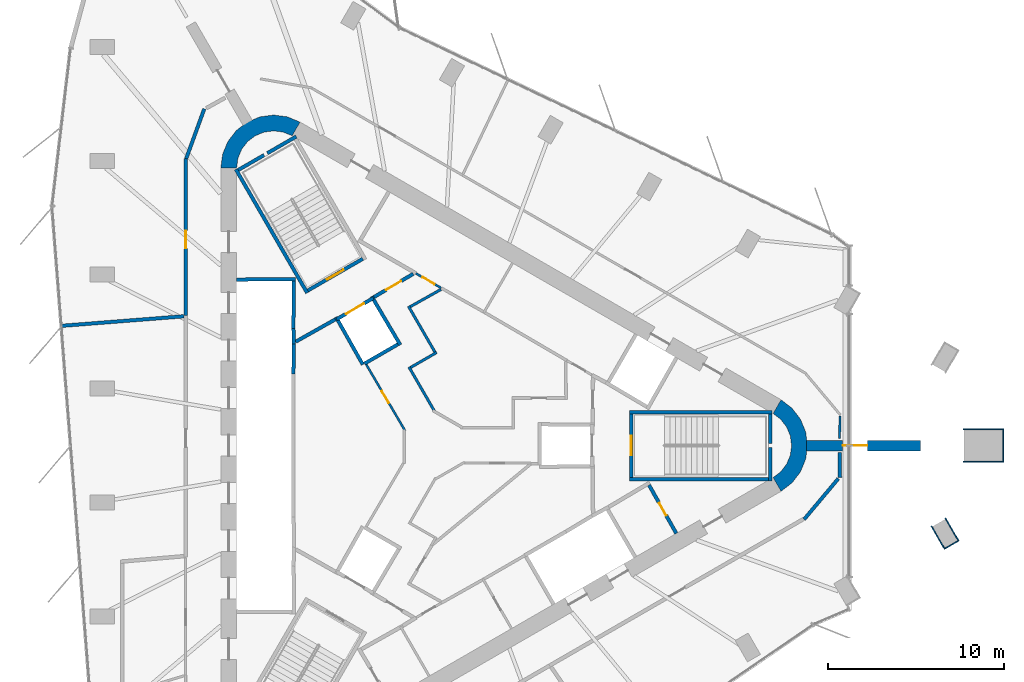
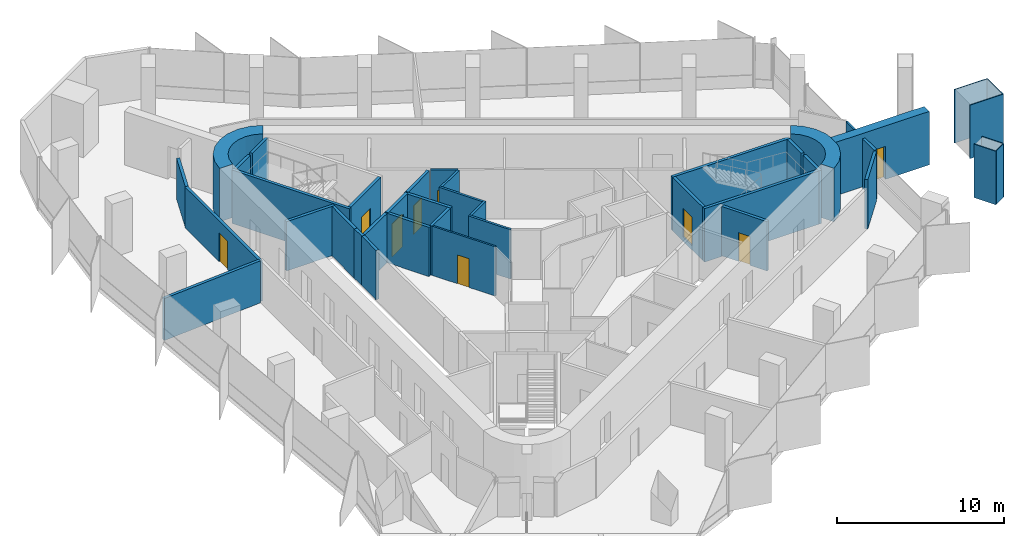
# One storey, part 9 of 12: 41 walls, 9 doors, 9 openings.
"""IFC4 building model written with IfcOpenShell, lengths in metres."""

import ifcopenshell
import ifcopenshell.guid

model = None  # the IFC model being written
_history = None  # IfcOwnerHistory: only IFC2X3 demands one
_inside = {}  # id of a spatial element -> (the spatial element, [elements in it])
_under = {}  # id of a project, library or spatial element -> (it, [spatial elements below it])
_declared = {}  # id of a project -> (the project, [libraries it declares])
_typed = {}  # id of a type object -> (the type object, [elements of that type])
_made_of = {}  # id of a material, layer set ... -> (it, [elements and type objects made of it])


def new_model(schema):
    """Start an empty IFC model of exactly this schema.

    Asked for "IFC4X3", IfcOpenShell would pick the latest addendum, in which some entities
    have other attributes; the version numbers below select the first issue.
    IFC2X3 requires an IfcOwnerHistory on every rooted entity: one is made here for all.
    """
    global model, _history
    if schema == "IFC4X3":
        model = ifcopenshell.file(schema_version=(4, 3, 0, 0))
    else:
        model = ifcopenshell.file(schema=schema)
    _inside.clear()
    _under.clear()
    _declared.clear()
    _typed.clear()
    _made_of.clear()
    _history = None
    if model.schema == "IFC2X3":
        org = make("IfcOrganization", Name="unknown")
        user = make(
            "IfcPersonAndOrganization",
            ThePerson=make("IfcPerson", FamilyName="unknown"),
            TheOrganization=org,
        )
        app = make(
            "IfcApplication",
            ApplicationDeveloper=org,
            Version="unknown",
            ApplicationFullName="unknown",
            ApplicationIdentifier="unknown",
        )
        _history = make(
            "IfcOwnerHistory",
            OwningUser=user,
            OwningApplication=app,
            ChangeAction="ADDED",
            CreationDate=0,
        )
    return model


def make(cls, **values):
    """One entity of the class cls with the attributes given. An attribute that is None is left unset."""
    return model.create_entity(
        cls, **{name: value for name, value in values.items() if value is not None}
    )


def rooted(cls, **values):
    """An entity with a GlobalId (a new one), such as an element, a storey or a relation."""
    return make(cls, GlobalId=ifcopenshell.guid.new(), OwnerHistory=_history, **values)


def si_unit(unit_type, name, prefix=None):
    """IfcSIUnit, for example si_unit("LENGTHUNIT", "METRE", prefix="MILLI")."""
    return make("IfcSIUnit", UnitType=unit_type, Prefix=prefix, Name=name)


def assignment(units):
    """IfcUnitAssignment: the units of a project."""
    return None if units is None else make("IfcUnitAssignment", Units=units)


def point(xyz):
    """IfcCartesianPoint."""
    return None if xyz is None else make("IfcCartesianPoint", Coordinates=xyz)


def direction(xyz):
    """IfcDirection."""
    return None if xyz is None else make("IfcDirection", DirectionRatios=xyz)


def frame(location, z_axis=None, x_axis=None):
    """IfcAxis2Placement3D, a coordinate frame: its origin and axes. An axis left out is left unset."""
    return make(
        "IfcAxis2Placement3D",
        Location=point(location),
        Axis=direction(z_axis),
        RefDirection=direction(x_axis),
    )


def frame_2d(location, x_axis=None):
    """IfcAxis2Placement2D, a coordinate frame in the plane: its origin and x axis."""
    return make(
        "IfcAxis2Placement2D", Location=point(location), RefDirection=direction(x_axis)
    )


def origin():
    """The frame at (0, 0, 0) with its axes left unset."""
    return frame((0.0, 0.0, 0.0))


def place(relative_to, where):
    """IfcLocalPlacement: puts the frame where relative to a parent placement (None: the world)."""
    return make(
        "IfcLocalPlacement", PlacementRelTo=relative_to, RelativePlacement=where
    )


def context(
    kind, dimensions, precision=None, world=None, true_north=None, identifier=None
):
    """IfcGeometricRepresentationContext, for example the 3D "Model" context."""
    return make(
        "IfcGeometricRepresentationContext",
        ContextIdentifier=identifier,
        ContextType=kind,
        CoordinateSpaceDimension=dimensions,
        Precision=precision,
        WorldCoordinateSystem=world,
        TrueNorth=true_north,
    )


def subcontext(parent, identifier, kind, view, scale=None):
    """IfcGeometricRepresentationSubContext, for example "Body" below "Model"."""
    return make(
        "IfcGeometricRepresentationSubContext",
        ContextIdentifier=identifier,
        ContextType=kind,
        ParentContext=parent,
        TargetScale=scale,
        TargetView=view,
    )


def project(units=None, contexts=None):
    """IfcProject with its units and contexts."""
    return rooted(
        "IfcProject",
        Name="project",
        RepresentationContexts=contexts,
        UnitsInContext=assignment(units),
    )


def spatial(cls, under=None, at=None, **own):
    """A site, building, storey or space (cls), placed at a placement, below another one or the project."""
    s = rooted(cls, ObjectPlacement=at, **own)
    if under is not None:
        _under.setdefault(under.id(), (under, []))[1].append(s)
    return s


def polyline(points):
    """IfcPolyline through the points."""
    return make("IfcPolyline", Points=[point(p) for p in points])


def profile(cls, at=None, kind="AREA", **sizes):
    """A parametric profile (cls). Its sizes go by their IFC names, for example OverallWidth=200.0."""
    return make(cls, ProfileType=kind, Position=at, **sizes)


def rectangle(**sizes):
    """IfcRectangleProfileDef."""
    return profile("IfcRectangleProfileDef", **sizes)


def outline(outer, holes=None, kind="AREA"):
    """IfcArbitraryClosedProfileDef: a profile drawn as a closed curve; with holes, ...WithVoids."""
    if holes is None:
        return make("IfcArbitraryClosedProfileDef", ProfileType=kind, OuterCurve=outer)
    return make(
        "IfcArbitraryProfileDefWithVoids",
        ProfileType=kind,
        OuterCurve=outer,
        InnerCurves=holes,
    )


def extrude(swept, where, along, depth):
    """IfcExtrudedAreaSolid: the profile swept, set in the frame where, extruded along a direction by depth."""
    return make(
        "IfcExtrudedAreaSolid",
        SweptArea=swept,
        Position=where,
        ExtrudedDirection=direction(along),
        Depth=depth,
    )


def shape(context_of_items, identifier, shape_type, items):
    """IfcShapeRepresentation: the items that make up one representation, for example the "Body"."""
    return make(
        "IfcShapeRepresentation",
        ContextOfItems=context_of_items,
        RepresentationIdentifier=identifier,
        RepresentationType=shape_type,
        Items=items,
    )


def material(Name=None, Category=None):
    """IfcMaterial."""
    return make("IfcMaterial", Name=Name, Category=Category)


def layer(
    of_material, thickness, ventilated=None, Name=None, Category=None, Priority=None
):
    """IfcMaterialLayer: one layer of a wall or slab, of a material (None: an air gap)."""
    return make(
        "IfcMaterialLayer",
        Material=of_material,
        LayerThickness=thickness,
        IsVentilated=ventilated,
        Name=Name,
        Category=Category,
        Priority=Priority,
    )


def layer_set(layers, Name=None):
    """IfcMaterialLayerSet."""
    return make("IfcMaterialLayerSet", MaterialLayers=layers, LayerSetName=Name)


def made_of(thing, what):
    """Note that an element or type object is made of a material, layer set ...; save() writes the relation."""
    if what is not None:
        _made_of.setdefault(what.id(), (what, []))[1].append(thing)
    return thing


def type_object(cls, material=None, **own):
    """A type object (cls), such as IfcWallType, which elements share."""
    return made_of(rooted(cls, **own), material)


def element(
    cls,
    number,
    at=None,
    inside=None,
    cuts=None,
    type_object=None,
    material=None,
    context=None,
    identifier="Body",
    shape_type=None,
    held_by="IfcProductDefinitionShape",
    body=None,
    shapes=None,
    **own,
):
    """One element of the class cls, such as IfcWall. Its Tag is "e" and its number.

    at: its placement. inside: the storey or other place that contains it. cuts: it is an
    opening in that element (IfcRelVoidsElement). A single representation is given by context,
    identifier, shape_type and body (its items); several are given by shapes. held_by: the class
    of the entity that holds the representations. save() writes the other relations.
    """
    e = rooted(cls, Tag="e%d" % number, ObjectPlacement=at, **own)
    if body is not None:
        shapes = [shape(context, identifier, shape_type, body)]
    if shapes is not None:
        e.Representation = make(held_by, Representations=shapes)
    if inside is not None:
        _inside.setdefault(inside.id(), (inside, []))[1].append(e)
    if cuts is not None:
        rooted(
            "IfcRelVoidsElement", RelatingBuildingElement=cuts, RelatedOpeningElement=e
        )
    if type_object is not None:
        _typed.setdefault(type_object.id(), (type_object, []))[1].append(e)
    return made_of(e, material)


def fill(opening, filler):
    """IfcRelFillsElement: the door or window that sits in an opening."""
    return rooted(
        "IfcRelFillsElement",
        RelatingOpeningElement=opening,
        RelatedBuildingElement=filler,
    )


def aggregate(whole, parts):
    """IfcRelAggregates: a whole, such as a stair, and the parts it consists of."""
    return rooted("IfcRelAggregates", RelatingObject=whole, RelatedObjects=parts)


def save(model, path):
    """Write the relations noted so far, then the file.

    IfcRelAggregates (storeys below a building ...), IfcRelContainedInSpatialStructure (elements
    in a storey), IfcRelDefinesByType, IfcRelAssociatesMaterial and IfcRelDeclares: one each for
    every whole, place, type object, material and project.
    """
    for whole, parts in _under.values():
        aggregate(whole, parts)
    for where, things in _inside.values():
        rooted(
            "IfcRelContainedInSpatialStructure",
            RelatedElements=things,
            RelatingStructure=where,
        )
    for kind, things in _typed.values():
        rooted("IfcRelDefinesByType", RelatedObjects=things, RelatingType=kind)
    for what, things in _made_of.values():
        rooted("IfcRelAssociatesMaterial", RelatedObjects=things, RelatingMaterial=what)
    for by, libraries in _declared.values():
        rooted("IfcRelDeclares", RelatingContext=by, RelatedDefinitions=libraries)
    model.write(path)


model = new_model("IFC4")

# Units and contexts
model_context = context("Model", 3, precision=1e-05, world=origin(), true_north=direction((0.0, 1.0)))
body_context = subcontext(model_context, "Body", "Model", "MODEL_VIEW")
ifc_project = project(units=[si_unit("LENGTHUNIT", "METRE"), si_unit("AREAUNIT", "SQUARE_METRE"), si_unit("VOLUMEUNIT", "CUBIC_METRE"), si_unit("PLANEANGLEUNIT", "RADIAN"), si_unit("MASSUNIT", "GRAM", prefix="KILO")], contexts=[model_context])

# Site, building, storey
site_placement = place(None, origin())
site = spatial("IfcSite", under=ifc_project, at=site_placement, CompositionType="ELEMENT")
building_placement = place(site_placement, origin())
building = spatial("IfcBuilding", under=site, at=building_placement, Name="Tanit Gate Tower", CompositionType="ELEMENT")
storey_placement = place(building_placement, frame((0.0, 0.0, 380.60009765625)))
storey = spatial("IfcBuildingStorey", under=building, at=storey_placement, Name="L87", CompositionType="ELEMENT", Elevation=380.60009765625)

# Wall, opening, door
ifc_material_1 = material(Name="Concrete C40/50", Category="concrete")
ifc_layer_1 = layer(ifc_material_1, 0.60009765625)
ifc_layer_set_1 = layer_set([ifc_layer_1], Name="BUTTRESS FIN 600 C40/50")
wall_type_1 = type_object("IfcWallType", Name="BUTTRESS FIN 600 C40/50", PredefinedType="SHEAR", material=ifc_layer_set_1)
wall_1_placement = place(storey_placement, frame((21.14990234375, 0.0, 0.0), z_axis=(0.0, 0.0, 1.0), x_axis=(1.0, 0.0, 0.0)))
wall_1 = element("IfcWall", 1, at=wall_1_placement, inside=storey, type_object=wall_type_1, Name="BUTTRESS FIN", PredefinedType="SHEAR", context=body_context, shape_type="SweptSolid", body=[
    extrude(rectangle(XDim=6.455078125, YDim=0.60009765625, at=frame_2d((3.2275390625, 0.0))), origin(), (0.0, 0.0, 1.0), 3.89990234375),
])
opening_1_placement = place(wall_1_placement, frame((2.050048828125, 0.0, 0.0)))
opening_1 = element("IfcOpeningElement", 2, at=opening_1_placement, cuts=wall_1, Name="Opening P14-87-F-E-1", PredefinedType="OPENING", context=body_context, shape_type="SweptSolid", body=[
    extrude(rectangle(XDim=1.39990234375, YDim=2.39990234375, at=frame_2d((0.699951171875, 1.199951171875))), frame((0.0, 0.31005859375, 0.0), z_axis=(0.0, -1.0, 0.0), x_axis=(1.0, 0.0, 0.0)), (0.0, 0.0, 1.0), 0.6201171875),
])
ifc_material_2 = material(Name="Timber door leaf", Category="wood")
door_type_1 = type_object("IfcDoorType", Name="INT-DOOR-FIN-PAIR-1400", OperationType="NOTDEFINED", PredefinedType="NOTDEFINED", material=ifc_material_2)
door_1_placement = place(opening_1_placement, origin())
door_1 = element("IfcDoor", 3, at=door_1_placement, inside=storey, type_object=door_type_1, Name="Door P14-87-F-E-1", OperationType="DOUBLE_DOOR_SINGLE_SWING", OverallHeight=2.39990234375, OverallWidth=1.39990234375, PredefinedType="NOTDEFINED", context=body_context, shape_type="SweptSolid", body=[
    extrude(rectangle(XDim=1.39990234375, YDim=2.39990234375, at=frame_2d((0.699951171875, 1.199951171875))), frame((0.0, 0.02490234375, 0.0), z_axis=(0.0, -1.0, 0.0), x_axis=(1.0, 0.0, 0.0)), (0.0, 0.0, 1.0), 0.050048828125),
])
fill(opening_1, door_1)

# Walls
ifc_material_3 = material(Name="Concrete C40/50", Category="concrete")
ifc_layer_2 = layer(ifc_material_3, 0.89990234375)
ifc_layer_set_2 = layer_set([ifc_layer_2], Name="CORE WALL 900 C40/50")
wall_type_2 = type_object("IfcWallType", Name="CORE WALL 900 C40/50", PredefinedType="SHEAR", material=ifc_layer_set_2)
wall_2_placement = place(storey_placement, origin())
element("IfcWall", 4, at=wall_2_placement, inside=storey, type_object=wall_type_2, Name="CORE WALL CORNER", PredefinedType="SHEAR", context=body_context, shape_type="SweptSolid", body=[
    extrude(outline(polyline([(-7.60009765625, 18.359619140625), (-8.323486328125, 18.659423828125), (-9.10009765625, 18.76171875), (-9.87646484375, 18.659423828125), (-10.60009765625, 18.359619140625), (-11.22119140625, 17.883056640625), (-11.697998046875, 17.26171875), (-11.997802734375, 16.5380859375), (-12.10009765625, 15.76171875), (-11.199951171875, 15.76171875), (-11.12841796875, 16.30517578125), (-10.918701171875, 16.811767578125), (-10.5849609375, 17.24658203125), (-10.14990234375, 17.580322265625), (-9.6435546875, 17.7900390625), (-9.10009765625, 17.86181640625), (-8.556396484375, 17.7900390625), (-8.050048828125, 17.580322265625), (-7.60009765625, 18.359619140625)])), origin(), (0.0, 0.0, 1.0), 3.89990234375),
])
wall_3_placement = place(storey_placement, origin())
element("IfcWall", 5, at=wall_3_placement, inside=storey, type_object=wall_type_2, Name="CORE WALL CORNER", PredefinedType="SHEAR", context=body_context, shape_type="SweptSolid", body=[
    extrude(outline(polyline([(19.699951171875, -2.59814453125), (20.3212890625, -2.121337890625), (20.798095703125, -1.5), (21.097900390625, -0.776611328125), (21.199951171875, 0.0), (21.097900390625, 0.776611328125), (20.798095703125, 1.5), (20.3212890625, 2.121337890625), (19.699951171875, 2.59814453125), (19.25, 1.818603515625), (19.684814453125, 1.48486328125), (20.018798828125, 1.050048828125), (20.228515625, 0.54345703125), (20.300048828125, 0.0), (20.228515625, -0.54345703125), (20.018798828125, -1.050048828125), (19.684814453125, -1.48486328125), (19.25, -1.818603515625), (19.699951171875, -2.59814453125)])), origin(), (0.0, 0.0, 1.0), 3.89990234375),
])
ifc_material_4 = material(Name="Bronze anodised aluminium cladding", Category="aluminium")
ifc_layer_3 = layer(ifc_material_4, 0.06005859375)
ifc_layer_set_3 = layer_set([ifc_layer_3], Name="Column casing bronze 60")
wall_type_3 = type_object("IfcWallType", Name="Column casing bronze 60", PredefinedType="SOLIDWALL", material=ifc_layer_set_3)
for number, where, z_axis, x_axis, name in (
    (6, (30.03564453125, 0.929931640625, 0.0), (0.0, 0.0, 1.0), (1.0, 0.0, 0.0), "Column casing L87 M-E.L1"),
    (7, (30.03564453125, -0.929931640625, 0.0), (0.0, 0.0, 1.0), (1.0, 0.0, 0.0), "Column casing L87 M-E.L2"),
):
    element("IfcWall", number, at=place(storey_placement, frame(where, z_axis=z_axis, x_axis=x_axis)), inside=storey, type_object=wall_type_3, Name=name, PredefinedType="SOLIDWALL", context=body_context, shape_type="SweptSolid", body=[
        extrude(rectangle(XDim=2.320068359375, YDim=0.06005859375, at=frame_2d((1.16015625, 0.0))), origin(), (0.0, 0.0, 1.0), 3.89990234375),
    ])
wall_4_placement = place(storey_placement, frame((32.32568359375, -0.89990234375, 0.0), z_axis=(0.0, 0.0, 1.0), x_axis=(0.0, 1.0, 0.0)))
element("IfcWall", 8, at=wall_4_placement, inside=storey, type_object=wall_type_3, Name="Column casing L87 M-E.S1", PredefinedType="SOLIDWALL", context=body_context, shape_type="SweptSolid", body=[
    extrude(rectangle(XDim=1.7998046875, YDim=0.06005859375, at=frame_2d((0.89990234375, 0.0))), origin(), (0.0, 0.0, 1.0), 3.89990234375),
])
for number, where, z_axis, x_axis, name in (
    (9, (29.023681640625, -4.11328125, 0.0), (0.0, 0.0, 1.0), (0.499991248344, -0.866030456496, 0.0), "Column casing L87 P-SE8.L1"),
    (10, (28.235595703125, -4.568115234375, 0.0), (0.0, 0.0, 1.0), (0.499991248344, -0.866030456496, 0.0), "Column casing L87 P-SE8.L2"),
):
    element("IfcWall", number, at=place(storey_placement, frame(where, z_axis=z_axis, x_axis=x_axis)), inside=storey, type_object=wall_type_3, Name=name, PredefinedType="SOLIDWALL", context=body_context, shape_type="SweptSolid", body=[
        extrude(rectangle(XDim=1.52001953125, YDim=0.06005859375, at=frame_2d((0.760009765625, 0.0))), origin(), (0.0, 0.0, 1.0), 3.89990234375),
    ])
wall_5_placement = place(storey_placement, frame((29.006591796875, -5.843505859375, 0.0), z_axis=(0.0, 0.0, 1.0), x_axis=(0.866113839764, 0.499846793097, 0.0)))
element("IfcWall", 11, at=wall_5_placement, inside=storey, type_object=wall_type_3, Name="Column casing L87 P-SE8.S1", PredefinedType="SOLIDWALL", context=body_context, shape_type="SweptSolid", body=[
    extrude(rectangle(XDim=0.849853515625, YDim=0.06005859375, at=frame_2d((0.4248046875, 0.0))), origin(), (0.0, 0.0, 1.0), 3.89990234375),
])

# Wall, opening, door
ifc_material_5 = material(Name="Fire-rated gypsum board partition")
ifc_layer_4 = layer(ifc_material_5, 0.199951171875)
ifc_layer_set_4 = layer_set([ifc_layer_4], Name="INT-WALL-COMPARTMENT")
wall_type_4 = type_object("IfcWallType", Name="INT-WALL-COMPARTMENT", PredefinedType="PARTITIONING", material=ifc_layer_set_4)
wall_6_placement = place(storey_placement, frame((13.758056640625, -4.989501953125, 0.0), z_axis=(0.0, 0.0, 1.0), x_axis=(-0.491993409184, 0.87059892334, 0.0)))
wall_6 = element("IfcWall", 12, at=wall_6_placement, inside=storey, type_object=wall_type_4, Name="Wall Compartment W064", PredefinedType="PARTITIONING", context=body_context, shape_type="SweptSolid", body=[
    extrude(rectangle(XDim=3.150146484375, YDim=0.199951171875, at=frame_2d((1.5751953125, 0.0))), origin(), (0.0, 0.0, 1.0), 3.599853515625),
])
opening_2_placement = place(wall_6_placement, frame((1.175048828125, 0.0, 0.0)))
opening_2 = element("IfcOpeningElement", 13, at=opening_2_placement, cuts=wall_6, Name="Opening R08-87-19", PredefinedType="OPENING", context=body_context, shape_type="SweptSolid", body=[
    extrude(rectangle(XDim=0.800048828125, YDim=2.10009765625, at=frame_2d((0.39990234375, 1.050048828125))), frame((0.0, 0.10986328125, 0.0), z_axis=(0.0, -1.0, 0.0), x_axis=(1.0, 0.0, 0.0)), (0.0, 0.0, 1.0), 0.219970703125),
])
ifc_material_6 = material(Name="Timber door leaf", Category="wood")
door_type_2 = type_object("IfcDoorType", Name="INT-DOOR-RISER-800", OperationType="NOTDEFINED", PredefinedType="USERDEFINED", material=ifc_material_6)
door_2_placement = place(opening_2_placement, origin())
door_2 = element("IfcDoor", 14, at=door_2_placement, inside=storey, type_object=door_type_2, Name="Door R08-87-19", ObjectType="FIRE DOOR", OperationType="SINGLE_SWING_LEFT", OverallHeight=2.10009765625, OverallWidth=0.800048828125, PredefinedType="USERDEFINED", context=body_context, shape_type="SweptSolid", body=[
    extrude(rectangle(XDim=0.800048828125, YDim=2.10009765625, at=frame_2d((0.39990234375, 1.050048828125))), frame((0.0, 0.02490234375, 0.0), z_axis=(0.0, -1.0, 0.0), x_axis=(1.0, 0.0, 0.0)), (0.0, 0.0, 1.0), 0.050048828125),
])
fill(opening_2, door_2)

# Wall
wall_7_placement = place(storey_placement, frame((-5.600341796875, 7.16015625, 0.0), z_axis=(0.0, 0.0, 1.0), x_axis=(-0.871340486379, -0.490678873396, 0.0)))
element("IfcWall", 15, at=wall_7_placement, inside=storey, type_object=wall_type_4, Name="Wall Compartment W067", PredefinedType="PARTITIONING", context=body_context, shape_type="SweptSolid", body=[
    extrude(rectangle(XDim=2.580810546875, YDim=0.199951171875, at=frame_2d((1.29052734375, 0.0))), origin(), (0.0, 0.0, 1.0), 3.599853515625),
])

# Wall, opening, door
wall_8_placement = place(storey_placement, frame((-1.1787109375, 9.744873046875, 0.0), z_axis=(0.0, 0.0, 1.0), x_axis=(-0.860630814782, -0.509229418482, 0.0)))
wall_8 = element("IfcWall", 16, at=wall_8_placement, inside=storey, type_object=wall_type_4, Name="Wall Compartment W068", PredefinedType="PARTITIONING", context=body_context, shape_type="SweptSolid", body=[
    extrude(rectangle(XDim=2.581787109375, YDim=0.199951171875, at=frame_2d((1.291015625, 0.0))), origin(), (0.0, 0.0, 1.0), 3.599853515625),
])
opening_3_placement = place(wall_8_placement, frame((0.791015625, 0.0, 0.0)))
opening_3 = element("IfcOpeningElement", 17, at=opening_3_placement, cuts=wall_8, Name="Opening F10-87-05", PredefinedType="OPENING", context=body_context, shape_type="SweptSolid", body=[
    extrude(rectangle(XDim=1.0, YDim=2.10009765625, at=frame_2d((0.5, 1.050048828125))), frame((0.0, 0.10986328125, 0.0), z_axis=(0.0, -1.0, 0.0), x_axis=(1.0, 0.0, 0.0)), (0.0, 0.0, 1.0), 0.219970703125),
])
ifc_material_7 = material(Name="Fire-rated steel door leaf", Category="steel")
door_type_3 = type_object("IfcDoorType", Name="INT-DOOR-FIRE-1000", OperationType="NOTDEFINED", PredefinedType="USERDEFINED", material=ifc_material_7)
door_3_placement = place(opening_3_placement, origin())
door_3 = element("IfcDoor", 18, at=door_3_placement, inside=storey, type_object=door_type_3, Name="Door F10-87-05", ObjectType="FIRE DOOR", OperationType="SINGLE_SWING_RIGHT", OverallHeight=2.10009765625, OverallWidth=1.0, PredefinedType="USERDEFINED", context=body_context, shape_type="SweptSolid", body=[
    extrude(rectangle(XDim=1.0, YDim=2.10009765625, at=frame_2d((0.5, 1.050048828125))), frame((0.0, 0.02490234375, 0.0), z_axis=(0.0, -1.0, 0.0), x_axis=(1.0, 0.0, 0.0)), (0.0, 0.0, 1.0), 0.050048828125),
])
fill(opening_3, door_3)

wall_9_placement = place(storey_placement, frame((-14.10009765625, 16.293701171875, 0.0), z_axis=(0.0, 0.0, 1.0), x_axis=(0.0, -1.0, 0.0)))
wall_9 = element("IfcWall", 19, at=wall_9_placement, inside=storey, type_object=wall_type_4, Name="Wall Compartment W092", PredefinedType="PARTITIONING", context=body_context, shape_type="SweptSolid", body=[
    extrude(rectangle(XDim=8.925048828125, YDim=0.199951171875, at=frame_2d((4.46240234375, 0.0))), origin(), (0.0, 0.0, 1.0), 2.969970703125),
])
opening_4_placement = place(wall_9_placement, frame((4.10009765625, 0.0, 0.0)))
opening_4 = element("IfcOpeningElement", 20, at=opening_4_placement, cuts=wall_9, Name="Opening F10-87-20", PredefinedType="OPENING", context=body_context, shape_type="SweptSolid", body=[
    extrude(rectangle(XDim=1.0, YDim=2.10009765625, at=frame_2d((0.5, 1.050048828125))), frame((0.0, 0.10986328125, 0.0), z_axis=(0.0, -1.0, 0.0), x_axis=(1.0, 0.0, 0.0)), (0.0, 0.0, 1.0), 0.219970703125),
])
door_4_placement = place(opening_4_placement, origin())
door_4 = element("IfcDoor", 21, at=door_4_placement, inside=storey, type_object=door_type_3, Name="Door F10-87-20", ObjectType="FIRE DOOR", OperationType="SINGLE_SWING_RIGHT", OverallHeight=2.10009765625, OverallWidth=1.0, PredefinedType="USERDEFINED", context=body_context, shape_type="SweptSolid", body=[
    extrude(rectangle(XDim=1.0, YDim=2.10009765625, at=frame_2d((0.5, 1.050048828125))), frame((0.0, 0.02490234375, 0.0), z_axis=(0.0, -1.0, 0.0), x_axis=(1.0, 0.0, 0.0)), (0.0, 0.0, 1.0), 0.050048828125),
])
fill(opening_4, door_4)

# Walls
wall_10_placement = place(storey_placement, frame((-13.037841796875, 19.11181640625, 0.0), z_axis=(0.0, 0.0, 1.0), x_axis=(-0.342062629946, -0.939677155833, 0.0)))
element("IfcWall", 22, at=wall_10_placement, inside=storey, type_object=wall_type_4, Name="Wall Compartment W093", PredefinedType="PARTITIONING", context=body_context, shape_type="SweptSolid", body=[
    extrude(rectangle(XDim=3.005615234375, YDim=0.199951171875, at=frame_2d((1.5029296875, 0.0))), origin(), (0.0, 0.0, 1.0), 2.969970703125),
])
wall_11_placement = place(storey_placement, frame((-14.199951171875, 7.336669921875, 0.0), z_axis=(0.0, 0.0, 1.0), x_axis=(-0.996967879897, -0.077814179003, 0.0)))
element("IfcWall", 23, at=wall_11_placement, inside=storey, type_object=wall_type_4, Name="Wall Compartment W100", PredefinedType="PARTITIONING", context=body_context, shape_type="SweptSolid", body=[
    extrude(rectangle(XDim=6.96533203125, YDim=0.199951171875, at=frame_2d((3.482666015625, 0.0))), origin(), (0.0, 0.0, 1.0), 3.06982421875),
])
wall_12_placement = place(storey_placement, frame((23.046875, -1.80126953125, 0.0), z_axis=(0.0, 0.0, 1.0), x_axis=(-0.017070682919, 0.999854285276, 0.0)))
element("IfcWall", 24, at=wall_12_placement, inside=storey, type_object=wall_type_4, Name="Wall Compartment W119", PredefinedType="PARTITIONING", context=body_context, shape_type="SweptSolid", body=[
    extrude(rectangle(XDim=1.401611328125, YDim=0.199951171875, at=frame_2d((0.70068359375, 0.0))), origin(), (0.0, 0.0, 1.0), 3.599853515625),
])
wall_13_placement = place(storey_placement, frame((21.009765625, -4.190673828125, 0.0), z_axis=(0.0, 0.0, 1.0), x_axis=(0.642808479337, 0.766026930918, 0.0)))
element("IfcWall", 25, at=wall_13_placement, inside=storey, type_object=wall_type_4, Name="Wall Compartment W120", PredefinedType="PARTITIONING", context=body_context, shape_type="SweptSolid", body=[
    extrude(rectangle(XDim=3.015625, YDim=0.199951171875, at=frame_2d((1.5078125, 0.0))), origin(), (0.0, 0.0, 1.0), 3.599853515625),
])

# Wall, opening, door
ifc_material_8 = material(Name="Gypsum board partition")
ifc_layer_5 = layer(ifc_material_8, 0.1201171875)
ifc_layer_set_5 = layer_set([ifc_layer_5], Name="INT-WALL-PARTITION")
wall_type_5 = type_object("IfcWallType", Name="INT-WALL-PARTITION", PredefinedType="PARTITIONING", material=ifc_layer_set_5)
wall_14_placement = place(storey_placement, frame((-1.02392578125, 9.77099609375, 0.0), z_axis=(0.0, 0.0, 1.0), x_axis=(0.866032269107, -0.499988108725, 0.0)))
wall_14 = element("IfcWall", 26, at=wall_14_placement, inside=storey, type_object=wall_type_5, Name="Wall Partition W054", PredefinedType="PARTITIONING", context=body_context, shape_type="SweptSolid", body=[
    extrude(rectangle(XDim=1.64404296875, YDim=0.1201171875, at=frame_2d((0.822021484375, 0.0))), origin(), (0.0, 0.0, 1.0), 3.599853515625),
])
opening_5_placement = place(wall_14_placement, frame((0.422119140625, 0.0, 0.0)))
opening_5 = element("IfcOpeningElement", 27, at=opening_5_placement, cuts=wall_14, Name="Opening R08-87-15", PredefinedType="OPENING", context=body_context, shape_type="SweptSolid", body=[
    extrude(rectangle(XDim=0.800048828125, YDim=2.10009765625, at=frame_2d((0.39990234375, 1.050048828125))), frame((0.0, 0.070068359375, 0.0), z_axis=(0.0, -1.0, 0.0), x_axis=(1.0, 0.0, 0.0)), (0.0, 0.0, 1.0), 0.14013671875),
])
door_5_placement = place(opening_5_placement, origin())
door_5 = element("IfcDoor", 28, at=door_5_placement, inside=storey, type_object=door_type_2, Name="Door R08-87-15", ObjectType="FIRE DOOR", OperationType="SINGLE_SWING_RIGHT", OverallHeight=2.10009765625, OverallWidth=0.800048828125, PredefinedType="USERDEFINED", context=body_context, shape_type="SweptSolid", body=[
    extrude(rectangle(XDim=0.800048828125, YDim=2.10009765625, at=frame_2d((0.39990234375, 1.050048828125))), frame((0.0, 0.02490234375, 0.0), z_axis=(0.0, -1.0, 0.0), x_axis=(1.0, 0.0, 0.0)), (0.0, 0.0, 1.0), 0.050048828125),
])
fill(opening_5, door_5)

wall_15_placement = place(storey_placement, frame((-1.636962890625, 0.836669921875, 0.0), z_axis=(0.0, 0.0, 1.0), x_axis=(-0.505858978646, 0.862616191433, 0.0)))
wall_15 = element("IfcWall", 29, at=wall_15_placement, inside=storey, type_object=wall_type_5, Name="Wall Partition W071", PredefinedType="PARTITIONING", context=body_context, shape_type="SweptSolid", body=[
    extrude(rectangle(XDim=4.357177734375, YDim=0.1201171875, at=frame_2d((2.1787109375, 0.0))), origin(), (0.0, 0.0, 1.0), 3.599853515625),
])
opening_6_placement = place(wall_15_placement, frame((1.82958984375, 0.0, 0.0)))
opening_6 = element("IfcOpeningElement", 30, at=opening_6_placement, cuts=wall_15, Name="Opening R08-87-10", PredefinedType="OPENING", context=body_context, shape_type="SweptSolid", body=[
    extrude(rectangle(XDim=0.800048828125, YDim=2.10009765625, at=frame_2d((0.39990234375, 1.050048828125))), frame((0.0, 0.070068359375, 0.0), z_axis=(0.0, -1.0, 0.0), x_axis=(1.0, 0.0, 0.0)), (0.0, 0.0, 1.0), 0.14013671875),
])
door_6_placement = place(opening_6_placement, origin())
door_6 = element("IfcDoor", 31, at=door_6_placement, inside=storey, type_object=door_type_2, Name="Door R08-87-10", ObjectType="FIRE DOOR", OperationType="SINGLE_SWING_RIGHT", OverallHeight=2.10009765625, OverallWidth=0.800048828125, PredefinedType="USERDEFINED", context=body_context, shape_type="SweptSolid", body=[
    extrude(rectangle(XDim=0.800048828125, YDim=2.10009765625, at=frame_2d((0.39990234375, 1.050048828125))), frame((0.0, 0.02490234375, 0.0), z_axis=(0.0, -1.0, 0.0), x_axis=(1.0, 0.0, 0.0)), (0.0, 0.0, 1.0), 0.050048828125),
])
fill(opening_6, door_6)

# Walls
wall_16_placement = place(storey_placement, frame((23.02294921875, 0.39990234375, 0.0), z_axis=(0.0, 0.0, 1.0), x_axis=(0.017073489471, 0.999854237355, 0.0)))
element("IfcWall", 32, at=wall_16_placement, inside=storey, type_object=wall_type_5, Name="Wall Partition W111", PredefinedType="PARTITIONING", context=body_context, shape_type="SweptSolid", body=[
    extrude(rectangle(XDim=1.272705078125, YDim=0.1201171875, at=frame_2d((0.63623046875, 0.0))), origin(), (0.0, 0.0, 1.0), 3.599853515625),
])
ifc_material_9 = material(Name="Fire-rated gypsum board partition")
ifc_layer_6 = layer(ifc_material_9, 0.14990234375)
ifc_layer_set_6 = layer_set([ifc_layer_6], Name="INT-WALL-RISER")
wall_type_6 = type_object("IfcWallType", Name="INT-WALL-RISER", PredefinedType="PLUMBINGWALL", material=ifc_layer_set_6)
wall_17_placement = place(storey_placement, frame((-1.42138671875, 4.462158203125, 0.0), z_axis=(0.0, 0.0, 1.0), x_axis=(0.499969679245, -0.866042908773, 0.0)))
element("IfcWall", 33, at=wall_17_placement, inside=storey, type_object=wall_type_6, Name="Wall Riser W088", PredefinedType="PLUMBINGWALL", context=body_context, shape_type="SweptSolid", body=[
    extrude(rectangle(XDim=2.906494140625, YDim=0.14990234375, at=frame_2d((1.453125, 0.0))), origin(), (0.0, 0.0, 1.0), 3.599853515625),
])
wall_18_placement = place(storey_placement, frame((0.1533203125, 5.28466796875, 0.0), z_axis=(0.0, 0.0, 1.0), x_axis=(-0.866025371046, -0.500000056704, 0.0)))
element("IfcWall", 34, at=wall_18_placement, inside=storey, type_object=wall_type_6, Name="Wall Riser W089", PredefinedType="PLUMBINGWALL", context=body_context, shape_type="SweptSolid", body=[
    extrude(rectangle(XDim=1.7001953125, YDim=0.14990234375, at=frame_2d((0.85009765625, 0.0))), origin(), (0.0, 0.0, 1.0), 3.599853515625),
])
wall_19_placement = place(storey_placement, frame((-1.44921875, 7.91015625, 0.0), z_axis=(0.0, 0.0, 1.0), x_axis=(0.499990139034, -0.866031096941, 0.0)))
element("IfcWall", 35, at=wall_19_placement, inside=storey, type_object=wall_type_6, Name="Wall Riser W090", PredefinedType="PLUMBINGWALL", context=body_context, shape_type="SweptSolid", body=[
    extrude(rectangle(XDim=3.0, YDim=0.14990234375, at=frame_2d((1.5, 0.0))), origin(), (0.0, 0.0, 1.0), 3.599853515625),
])
wall_20_placement = place(storey_placement, frame((0.39892578125, 8.8623046875, 0.0), z_axis=(0.0, 0.0, 1.0), x_axis=(-0.871852238349, -0.489769001148, 0.0)))
element("IfcWall", 36, at=wall_20_placement, inside=storey, type_object=wall_type_6, Name="Wall Riser W091", PredefinedType="PLUMBINGWALL", context=body_context, shape_type="SweptSolid", body=[
    extrude(rectangle(XDim=2.001953125, YDim=0.14990234375, at=frame_2d((1.0009765625, 0.0))), origin(), (0.0, 0.0, 1.0), 3.599853515625),
])
ifc_material_10 = material(Name="Gypsum shaft wall system")
ifc_layer_7 = layer(ifc_material_10, 0.199951171875)
ifc_layer_set_7 = layer_set([ifc_layer_7], Name="INT-WALL-SHAFT")
wall_type_7 = type_object("IfcWallType", Name="INT-WALL-SHAFT", PredefinedType="PLUMBINGWALL", material=ifc_layer_set_7)
wall_21_placement = place(storey_placement, frame((-11.199951171875, 9.419921875, 0.0), z_axis=(0.0, 0.0, 1.0), x_axis=(0.999957167047, 0.009255488683, 0.0)))
element("IfcWall", 37, at=wall_21_placement, inside=storey, type_object=wall_type_7, Name="Wall Shaft W001", PredefinedType="PLUMBINGWALL", context=body_context, shape_type="SweptSolid", body=[
    extrude(rectangle(XDim=3.35009765625, YDim=0.199951171875, at=frame_2d((1.675048828125, 0.0))), origin(), (0.0, 0.0, 1.0), 3.599853515625),
])
wall_22_placement = place(storey_placement, frame((-7.951171875, 9.35009765625, 0.0), z_axis=(0.0, 0.0, 1.0), x_axis=(-0.011120469654, -0.999938165666, 0.0)))
element("IfcWall", 38, at=wall_22_placement, inside=storey, type_object=wall_type_7, Name="Wall Shaft W002", PredefinedType="PLUMBINGWALL", context=body_context, shape_type="SweptSolid", body=[
    extrude(rectangle(XDim=2.700439453125, YDim=0.199951171875, at=frame_2d((1.35009765625, 0.0))), origin(), (0.0, 0.0, 1.0), 3.599853515625),
])
wall_23_placement = place(storey_placement, frame((-7.97705078125, 6.650146484375, 0.0), z_axis=(0.0, 0.0, 1.0), x_axis=(0.030861509705, -0.999523670164, 0.0)))
element("IfcWall", 39, at=wall_23_placement, inside=storey, type_object=wall_type_7, Name="Wall Shaft W003", PredefinedType="PLUMBINGWALL", context=body_context, shape_type="SweptSolid", body=[
    extrude(rectangle(XDim=0.878173828125, YDim=0.199951171875, at=frame_2d((0.43896484375, 0.0))), origin(), (0.0, 0.0, 1.0), 3.599853515625),
])
wall_24_placement = place(storey_placement, frame((-7.948974609375, 5.894287109375, 0.0), z_axis=(0.0, 0.0, 1.0), x_axis=(-0.016809909365, -0.999858703491, 0.0)))
element("IfcWall", 40, at=wall_24_placement, inside=storey, type_object=wall_type_7, Name="Wall Shaft W004", PredefinedType="PLUMBINGWALL", context=body_context, shape_type="SweptSolid", body=[
    extrude(rectangle(XDim=1.844482421875, YDim=0.199951171875, at=frame_2d((0.92236328125, 0.0))), origin(), (0.0, 0.0, 1.0), 3.599853515625),
])

# Wall, opening, door
wall_25_placement = place(storey_placement, frame((-5.524169921875, 7.168212890625, 0.0), z_axis=(0.0, 0.0, 1.0), x_axis=(0.866024647952, 0.500001309137, 0.0)))
wall_25 = element("IfcWall", 41, at=wall_25_placement, inside=storey, type_object=wall_type_7, Name="Wall Shaft W034", PredefinedType="PLUMBINGWALL", context=body_context, shape_type="SweptSolid", body=[
    extrude(rectangle(XDim=2.39990234375, YDim=0.199951171875, at=frame_2d((1.199951171875, 0.0))), origin(), (0.0, 0.0, 1.0), 3.599853515625),
])
opening_7_placement = place(wall_25_placement, frame((0.60009765625, 0.0, 0.0)))
opening_7 = element("IfcOpeningElement", 42, at=opening_7_placement, cuts=wall_25, Name="Opening LDFL2-L87", PredefinedType="OPENING", context=body_context, shape_type="SweptSolid", body=[
    extrude(rectangle(XDim=1.199951171875, YDim=2.39990234375, at=frame_2d((0.60009765625, 1.199951171875))), frame((0.0, 0.10986328125, 0.0), z_axis=(0.0, -1.0, 0.0), x_axis=(1.0, 0.0, 0.0)), (0.0, 0.0, 1.0), 0.219970703125),
])
ifc_material_11 = material(Name="Stainless steel sliding door leaf", Category="steel")
door_type_4 = type_object("IfcDoorType", Name="INT-DOOR-LANDING-1200", OperationType="NOTDEFINED", PredefinedType="USERDEFINED", material=ifc_material_11)
door_7_placement = place(opening_7_placement, origin())
door_7 = element("IfcDoor", 43, at=door_7_placement, inside=storey, type_object=door_type_4, Name="Door LDFL2-L87", ObjectType="LANDING DOOR", OperationType="SLIDING_TO_LEFT", OverallHeight=2.39990234375, OverallWidth=1.199951171875, PredefinedType="USERDEFINED", context=body_context, shape_type="SweptSolid", body=[
    extrude(rectangle(XDim=1.199951171875, YDim=2.39990234375, at=frame_2d((0.60009765625, 1.199951171875))), frame((0.0, 0.02490234375, 0.0), z_axis=(0.0, -1.0, 0.0), x_axis=(1.0, 0.0, 0.0)), (0.0, 0.0, 1.0), 0.050048828125),
])
fill(opening_7, door_7)

# Walls
wall_26_placement = place(storey_placement, frame((-4.039306640625, 4.59619140625, 0.0), z_axis=(0.0, 0.0, 1.0), x_axis=(-0.491322718731, 0.870977603649, 0.0)))
element("IfcWall", 44, at=wall_26_placement, inside=storey, type_object=wall_type_7, Name="Wall Shaft W035", PredefinedType="PLUMBINGWALL", context=body_context, shape_type="SweptSolid", body=[
    extrude(rectangle(XDim=3.10009765625, YDim=0.199951171875, at=frame_2d((1.550048828125, 0.0))), origin(), (0.0, 0.0, 1.0), 3.599853515625),
])
wall_27_placement = place(storey_placement, frame((-3.53759765625, 8.46533203125, 0.0), z_axis=(0.0, 0.0, 1.0), x_axis=(0.508616218331, -0.860993346345, 0.0)))
element("IfcWall", 45, at=wall_27_placement, inside=storey, type_object=wall_type_7, Name="Wall Shaft W036", PredefinedType="PLUMBINGWALL", context=body_context, shape_type="SweptSolid", body=[
    extrude(rectangle(XDim=3.2001953125, YDim=0.199951171875, at=frame_2d((1.60009765625, 0.0))), origin(), (0.0, 0.0, 1.0), 3.599853515625),
])
wall_28_placement = place(storey_placement, frame((-2.04736328125, 5.74609375, 0.0), z_axis=(0.0, 0.0, 1.0), x_axis=(-0.866038900241, -0.499976622722, 0.0)))
element("IfcWall", 46, at=wall_28_placement, inside=storey, type_object=wall_type_7, Name="Wall Shaft W037", PredefinedType="PLUMBINGWALL", context=body_context, shape_type="SweptSolid", body=[
    extrude(rectangle(XDim=2.189453125, YDim=0.199951171875, at=frame_2d((1.0947265625, 0.0))), origin(), (0.0, 0.0, 1.0), 3.599853515625),
])
ifc_material_12 = material(Name="Concrete C40/50", Category="concrete")
ifc_layer_8 = layer(ifc_material_12, 0.199951171875)
ifc_layer_set_8 = layer_set([ifc_layer_8], Name="INT-WALL-STAIR")
wall_type_8 = type_object("IfcWallType", Name="INT-WALL-STAIR", PredefinedType="SHEAR", material=ifc_layer_set_8)
wall_29_placement = place(storey_placement, frame((19.199951171875, 1.89990234375, -0.300048828125), z_axis=(0.0, 0.0, 1.0), x_axis=(-1.0, 0.0, 0.0)))
element("IfcWall", 47, at=wall_29_placement, inside=storey, type_object=wall_type_8, Name="Wall Stair W020", PredefinedType="SHEAR", context=body_context, shape_type="SweptSolid", body=[
    extrude(rectangle(XDim=8.099853515625, YDim=0.199951171875, at=frame_2d((4.0498046875, 0.0))), origin(), (0.0, 0.0, 1.0), 3.89990234375),
])
wall_30_placement = place(storey_placement, frame((19.10009765625, -2.0, -0.300048828125), z_axis=(0.0, 0.0, 1.0), x_axis=(0.0, 1.0, 0.0)))
element("IfcWall", 48, at=wall_30_placement, inside=storey, type_object=wall_type_8, Name="Wall Stair W022", PredefinedType="SHEAR", context=body_context, shape_type="SweptSolid", body=[
    extrude(rectangle(XDim=1.889892578125, YDim=0.199951171875, at=frame_2d((0.94482421875, 0.0))), origin(), (0.0, 0.0, 1.0), 3.89990234375),
])
wall_31_placement = place(storey_placement, frame((19.10009765625, 0.110107421875, -0.300048828125), z_axis=(0.0, 0.0, 1.0), x_axis=(0.0, 1.0, 0.0)))
element("IfcWall", 49, at=wall_31_placement, inside=storey, type_object=wall_type_8, Name="Wall Stair W021", PredefinedType="SHEAR", context=body_context, shape_type="SweptSolid", body=[
    extrude(rectangle(XDim=1.68994140625, YDim=0.199951171875, at=frame_2d((0.844970703125, 0.0))), origin(), (0.0, 0.0, 1.0), 3.89990234375),
])
wall_32_placement = place(storey_placement, frame((11.10009765625, -1.89990234375, -0.300048828125), z_axis=(0.0, 0.0, 1.0), x_axis=(1.0, 0.0, 0.0)))
element("IfcWall", 50, at=wall_32_placement, inside=storey, type_object=wall_type_8, Name="Wall Stair W023", PredefinedType="SHEAR", context=body_context, shape_type="SweptSolid", body=[
    extrude(rectangle(XDim=7.89990234375, YDim=0.199951171875, at=frame_2d((3.949951171875, 0.0))), origin(), (0.0, 0.0, 1.0), 3.89990234375),
])

# Wall, opening, door
wall_33_placement = place(storey_placement, frame((11.199951171875, -1.800048828125, -0.300048828125), z_axis=(0.0, 0.0, 1.0), x_axis=(0.0, 1.0, 0.0)))
wall_33 = element("IfcWall", 51, at=wall_33_placement, inside=storey, type_object=wall_type_8, Name="Wall Stair W024", PredefinedType="SHEAR", context=body_context, shape_type="SweptSolid", body=[
    extrude(rectangle(XDim=3.60009765625, YDim=0.199951171875, at=frame_2d((1.800048828125, 0.0))), origin(), (0.0, 0.0, 1.0), 3.89990234375),
])
opening_8_placement = place(wall_33_placement, frame((1.25, 0.0, 0.300048828125)))
opening_8 = element("IfcOpeningElement", 52, at=opening_8_placement, cuts=wall_33, Name="Opening S11-87-01", PredefinedType="OPENING", context=body_context, shape_type="SweptSolid", body=[
    extrude(rectangle(XDim=1.10009765625, YDim=2.10009765625, at=frame_2d((0.550048828125, 1.050048828125))), frame((0.0, 0.10986328125, 0.0), z_axis=(0.0, -1.0, 0.0), x_axis=(1.0, 0.0, 0.0)), (0.0, 0.0, 1.0), 0.219970703125),
])
ifc_material_13 = material(Name="Timber door leaf", Category="wood")
door_type_5 = type_object("IfcDoorType", Name="INT-DOOR-STAIR-1100", OperationType="NOTDEFINED", PredefinedType="USERDEFINED", material=ifc_material_13)
door_8_placement = place(opening_8_placement, origin())
door_8 = element("IfcDoor", 53, at=door_8_placement, inside=storey, type_object=door_type_5, Name="Door S11-87-01", ObjectType="FIRE DOOR", OperationType="SINGLE_SWING_RIGHT", OverallHeight=2.10009765625, OverallWidth=1.10009765625, PredefinedType="USERDEFINED", context=body_context, shape_type="SweptSolid", body=[
    extrude(rectangle(XDim=1.10009765625, YDim=2.10009765625, at=frame_2d((0.550048828125, 1.050048828125))), frame((0.0, 0.02490234375, 0.0), z_axis=(0.0, -1.0, 0.0), x_axis=(1.0, 0.0, 0.0)), (0.0, 0.0, 1.0), 0.050048828125),
])
fill(opening_8, door_8)

# Walls
wall_34_placement = place(storey_placement, frame((-11.245361328125, 15.677734375, -0.300048828125), z_axis=(0.0, 0.0, 1.0), x_axis=(0.499977274689, -0.866038523851, 0.0)))
element("IfcWall", 54, at=wall_34_placement, inside=storey, type_object=wall_type_8, Name="Wall Stair W029", PredefinedType="SHEAR", context=body_context, shape_type="SweptSolid", body=[
    extrude(rectangle(XDim=8.10009765625, YDim=0.199951171875, at=frame_2d((4.050048828125, 0.0))), origin(), (0.0, 0.0, 1.0), 3.89990234375),
])
wall_35_placement = place(storey_placement, frame((-7.81787109375, 17.541015625, -0.300048828125), z_axis=(0.0, 0.0, 1.0), x_axis=(-0.866088799389, -0.499890179513, 0.0)))
element("IfcWall", 55, at=wall_35_placement, inside=storey, type_object=wall_type_8, Name="Wall Stair W031", PredefinedType="SHEAR", context=body_context, shape_type="SweptSolid", body=[
    extrude(rectangle(XDim=1.89013671875, YDim=0.199951171875, at=frame_2d((0.945068359375, 0.0))), origin(), (0.0, 0.0, 1.0), 3.89990234375),
])
wall_36_placement = place(storey_placement, frame((-9.645263671875, 16.486083984375, -0.300048828125), z_axis=(0.0, 0.0, 1.0), x_axis=(-0.866038843867, -0.499976720371, 0.0)))
element("IfcWall", 56, at=wall_36_placement, inside=storey, type_object=wall_type_8, Name="Wall Stair W030", PredefinedType="SHEAR", context=body_context, shape_type="SweptSolid", body=[
    extrude(rectangle(XDim=1.68994140625, YDim=0.199951171875, at=frame_2d((0.844970703125, 0.0))), origin(), (0.0, 0.0, 1.0), 3.89990234375),
])

# Wall, opening, door
wall_37_placement = place(storey_placement, frame((-7.158935546875, 8.799560546875, -0.300048828125), z_axis=(0.0, 0.0, 1.0), x_axis=(0.866047807691, 0.499961193289, 0.0)))
wall_37 = element("IfcWall", 57, at=wall_37_placement, inside=storey, type_object=wall_type_8, Name="Wall Stair W033", PredefinedType="SHEAR", context=body_context, shape_type="SweptSolid", body=[
    extrude(rectangle(XDim=3.599853515625, YDim=0.199951171875, at=frame_2d((1.7998046875, 0.0))), origin(), (0.0, 0.0, 1.0), 3.89990234375),
])
opening_9_placement = place(wall_37_placement, frame((1.25, 0.0, 0.300048828125)))
opening_9 = element("IfcOpeningElement", 58, at=opening_9_placement, cuts=wall_37, Name="Opening S11-87-04", PredefinedType="OPENING", context=body_context, shape_type="SweptSolid", body=[
    extrude(rectangle(XDim=1.10009765625, YDim=2.10009765625, at=frame_2d((0.550048828125, 1.050048828125))), frame((0.0, 0.10986328125, 0.0), z_axis=(0.0, -1.0, 0.0), x_axis=(1.0, 0.0, 0.0)), (0.0, 0.0, 1.0), 0.219970703125),
])
door_9_placement = place(opening_9_placement, origin())
door_9 = element("IfcDoor", 59, at=door_9_placement, inside=storey, type_object=door_type_5, Name="Door S11-87-04", ObjectType="FIRE DOOR", OperationType="SINGLE_SWING_LEFT", OverallHeight=2.10009765625, OverallWidth=1.10009765625, PredefinedType="USERDEFINED", context=body_context, shape_type="SweptSolid", body=[
    extrude(rectangle(XDim=1.10009765625, YDim=2.10009765625, at=frame_2d((0.550048828125, 1.050048828125))), frame((0.0, 0.02490234375, 0.0), z_axis=(0.0, -1.0, 0.0), x_axis=(1.0, 0.0, 0.0)), (0.0, 0.0, 1.0), 0.050048828125),
])
fill(opening_9, door_9)

save(model, "model.ifc")
